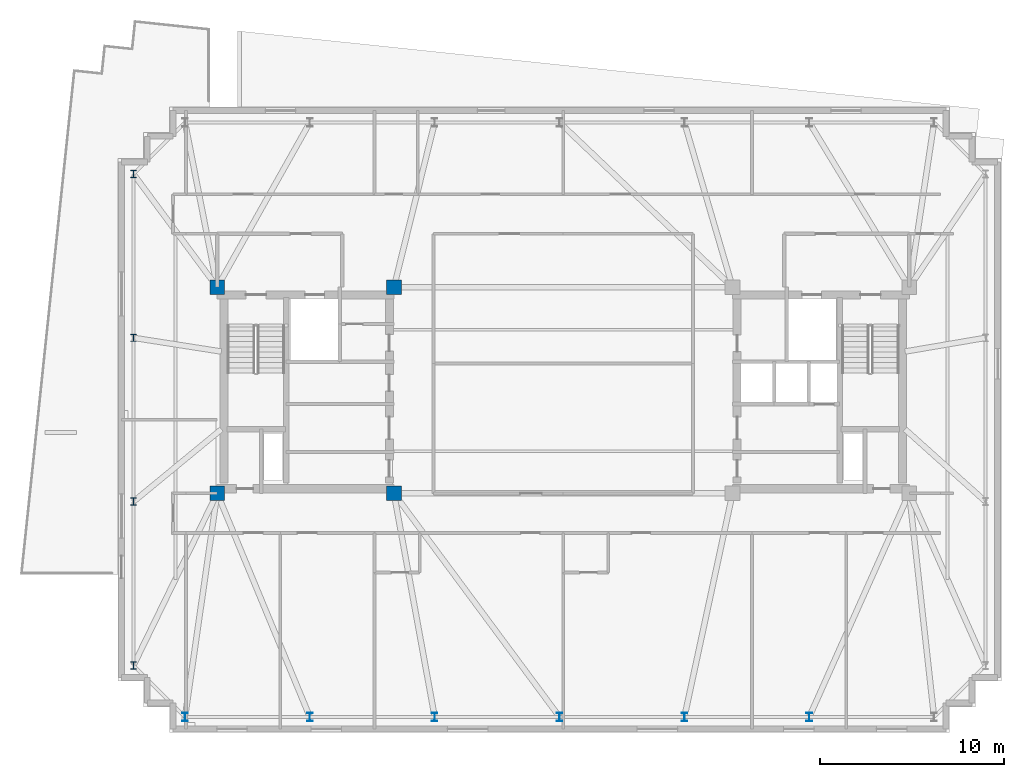
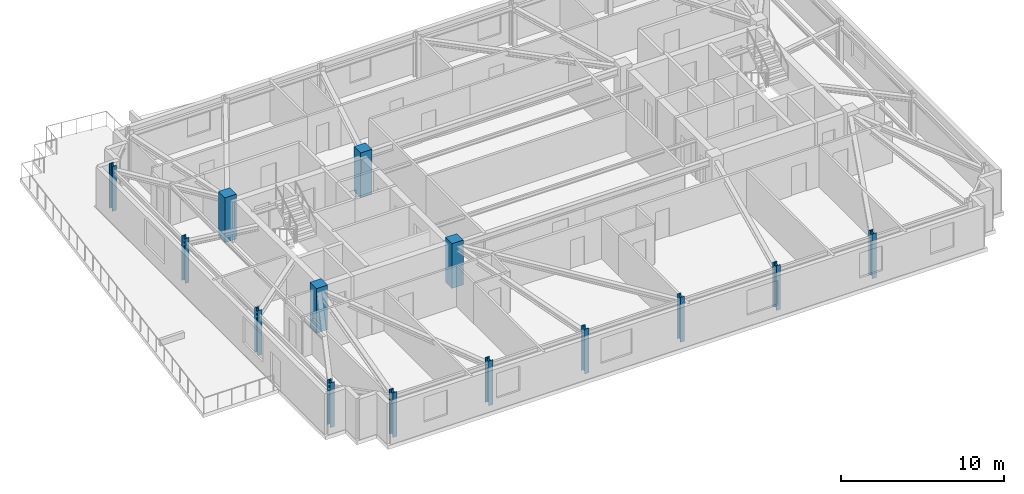
# One storey, part 1 of 12: 14 columns.
"""IFC4 building model written with IfcOpenShell, lengths in metres."""

from ifc_helpers import new_model, si_unit, direction, frame, origin, origin_2d, place, context, subcontext, project, spatial, rectangle, i_section, extrude, material, material_profile, profile_set, type_object, element, save


model = new_model("IFC4")

# Units and contexts
model_context = context("Model", 3, precision=1e-05, world=origin(), true_north=direction((0.0, 1.0)))
body_context = subcontext(model_context, "Body", "Model", "MODEL_VIEW")
ifc_project = project(units=[si_unit("LENGTHUNIT", "METRE"), si_unit("AREAUNIT", "SQUARE_METRE"), si_unit("VOLUMEUNIT", "CUBIC_METRE"), si_unit("PLANEANGLEUNIT", "RADIAN"), si_unit("MASSUNIT", "GRAM", prefix="KILO")], contexts=[model_context])

# Site, building, storey
site_placement = place(None, origin())
site = spatial("IfcSite", under=ifc_project, at=site_placement, CompositionType="ELEMENT")
building_placement = place(site_placement, origin())
building = spatial("IfcBuilding", under=site, at=building_placement, Name="Qobustan Lattice House", CompositionType="ELEMENT")
storey_placement = place(building_placement, frame((0.0, 0.0, 228.300048828125)))
storey = spatial("IfcBuildingStorey", under=building, at=storey_placement, Name="L64", CompositionType="ELEMENT", Elevation=228.300048828125)

# Columns
ifc_material_1 = material(Name="Concrete C50/60", Category="concrete")
ifc_material_profile_1 = material_profile(ifc_material_1, rectangle(XDim=0.800048828125, YDim=0.800048828125, at=origin_2d()), Name="RC800x800")
ifc_profile_set_1 = profile_set([ifc_material_profile_1], Name="Concrete C50/60")
column_type_1 = type_object("IfcColumnType", Name="COL-RC-800", PredefinedType="COLUMN", material=ifc_profile_set_1)
for number, where, z_axis, x_axis, name in (
    (1, (-18.800048828125, -5.60009765625, 0.0), (0.0, 0.0, 1.0), (1.0, 0.0, 0.0), "L64 core mega-column CW-SW"),
    (2, (-18.800048828125, 5.60009765625, 0.0), (0.0, 0.0, 1.0), (1.0, 0.0, 0.0), "L64 core mega-column CW-NW"),
    (3, (-9.199951171875, -5.60009765625, 0.0), (0.0, 0.0, 1.0), (1.0, 0.0, 0.0), "L64 core mega-column CW-SE"),
    (4, (-9.199951171875, 5.60009765625, 0.0), (0.0, 0.0, 1.0), (1.0, 0.0, 0.0), "L64 core mega-column CW-NE"),
):
    element("IfcColumn", number, at=place(storey_placement, frame(where, z_axis=z_axis, x_axis=x_axis)), inside=storey, type_object=column_type_1, Name=name, PredefinedType="COLUMN", context=body_context, shape_type="SweptSolid", body=[
        extrude(rectangle(XDim=0.800048828125, YDim=0.800048828125, at=origin_2d()), origin(), (0.0, 0.0, 1.0), 3.349853515625),
    ])
ifc_material_2 = material(Name="Steel S355", Category="steel")
ifc_material_profile_2 = material_profile(ifc_material_2, i_section(OverallWidth=0.300048828125, OverallDepth=0.39990234375, WebThickness=0.013427734375, FlangeThickness=0.02392578125, FilletRadius=0.027099609375, at=origin_2d()), Name="HEB400")
ifc_profile_set_2 = profile_set([ifc_material_profile_2], Name="Steel S355")
column_type_2 = type_object("IfcColumnType", Name="COL-ST-HEB400", PredefinedType="COLUMN", material=ifc_profile_set_2)
for number, where, z_axis, x_axis, name in (
    (5, (-23.35009765625, 11.75, 0.0), (0.0, 0.0, 1.0), (1.0, 0.0, 0.0), "L64 B5 perimeter column W1"),
    (6, (-23.35009765625, 2.85009765625, 0.0), (0.0, 0.0, 1.0), (1.0, 0.0, 0.0), "L64 B5 perimeter column W2"),
    (7, (-23.35009765625, -6.050048828125, 0.0), (0.0, 0.0, 1.0), (1.0, 0.0, 0.0), "L64 B5 perimeter column W3"),
    (8, (-23.35009765625, -14.949951171875, 0.0), (0.0, 0.0, 1.0), (1.0, 0.0, 0.0), "L64 B5 perimeter column W4"),
):
    element("IfcColumn", number, at=place(storey_placement, frame(where, z_axis=z_axis, x_axis=x_axis)), inside=storey, type_object=column_type_2, Name=name, PredefinedType="COLUMN", context=body_context, shape_type="SweptSolid", body=[
        extrude(i_section(OverallWidth=0.300048828125, OverallDepth=0.39990234375, WebThickness=0.013427734375, FlangeThickness=0.02392578125, FilletRadius=0.027099609375, at=origin_2d()), origin(), (0.0, 0.0, 1.0), 3.349853515625),
    ])
ifc_material_3 = material(Name="Steel S355", Category="steel")
ifc_material_profile_3 = material_profile(ifc_material_3, i_section(OverallWidth=0.300048828125, OverallDepth=0.449951171875, WebThickness=0.013916015625, FlangeThickness=0.02587890625, FilletRadius=0.027099609375, at=origin_2d()), Name="HEB450")
ifc_profile_set_3 = profile_set([ifc_material_profile_3], Name="Steel S355")
column_type_3 = type_object("IfcColumnType", Name="COL-ST-HEB450", PredefinedType="COLUMN", material=ifc_profile_set_3)
for number, where, z_axis, x_axis, name in (
    (9, (-20.550048828125, -17.75, 0.0), (0.0, 0.0, 1.0), (1.0, 0.0, 0.0), "L64 B5 perimeter column S1"),
    (10, (-13.7666015625, -17.75, 0.0), (0.0, 0.0, 1.0), (1.0, 0.0, 0.0), "L64 B5 perimeter column S2"),
    (11, (-6.9833984375, -17.75, 0.0), (0.0, 0.0, 1.0), (1.0, 0.0, 0.0), "L64 B5 perimeter column S3"),
    (12, (-0.199951171875, -17.75, 0.0), (0.0, 0.0, 1.0), (1.0, 0.0, 0.0), "L64 B5 perimeter column S4"),
    (13, (6.583251953125, -17.75, 0.0), (0.0, 0.0, 1.0), (1.0, 0.0, 0.0), "L64 B5 perimeter column S5"),
    (14, (13.36669921875, -17.75, 0.0), (0.0, 0.0, 1.0), (1.0, 0.0, 0.0), "L64 B5 perimeter column S6"),
):
    element("IfcColumn", number, at=place(storey_placement, frame(where, z_axis=z_axis, x_axis=x_axis)), inside=storey, type_object=column_type_3, Name=name, PredefinedType="COLUMN", context=body_context, shape_type="SweptSolid", body=[
        extrude(i_section(OverallWidth=0.300048828125, OverallDepth=0.449951171875, WebThickness=0.013916015625, FlangeThickness=0.02587890625, FilletRadius=0.027099609375, at=origin_2d()), origin(), (0.0, 0.0, 1.0), 3.349853515625),
    ])

save(model, "model.ifc")
